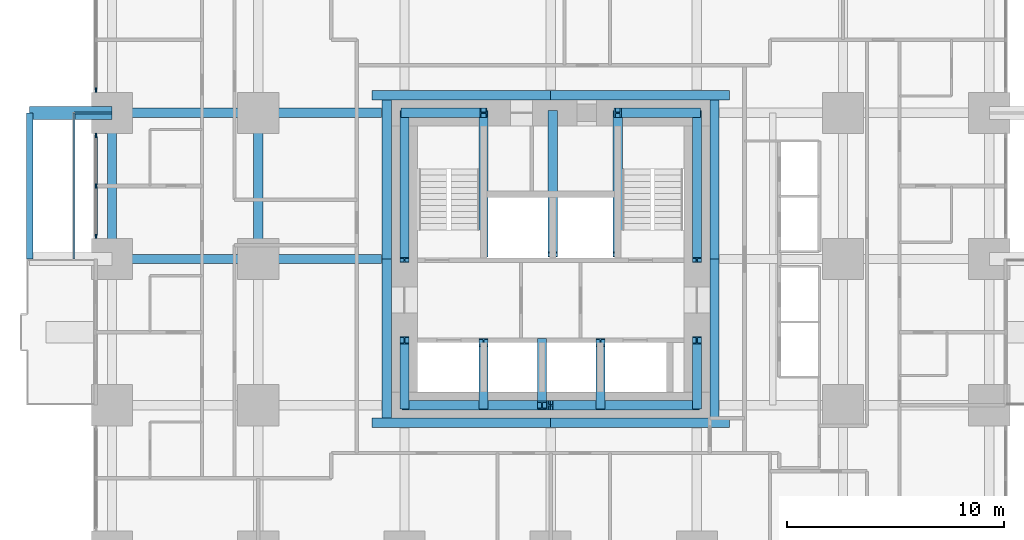
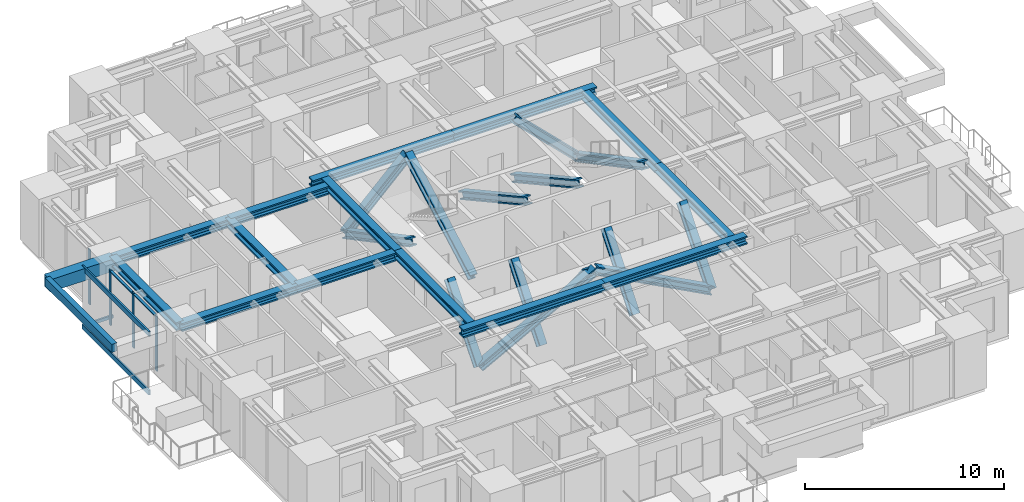
# One storey, part 3 of 14: 23 members, 16 beams, 2 elements without a shape of their own.
"""IFC4 building model written with IfcOpenShell, lengths in metres."""

from ifc_helpers import new_model, si_unit, direction, frame, origin, origin_2d, place, context, subcontext, project, spatial, rectangle, hollow_rectangle, i_section, extrude, material, material_profile, profile_set, type_object, element, aggregate, save


model = new_model("IFC4")

# Units and contexts
model_context = context("Model", 3, precision=1e-05, world=origin(), true_north=direction((0.0, 1.0)))
body_context = subcontext(model_context, "Body", "Model", "MODEL_VIEW")
ifc_project = project(units=[si_unit("LENGTHUNIT", "METRE"), si_unit("AREAUNIT", "SQUARE_METRE"), si_unit("VOLUMEUNIT", "CUBIC_METRE"), si_unit("PLANEANGLEUNIT", "RADIAN"), si_unit("MASSUNIT", "GRAM", prefix="KILO")], contexts=[model_context])

# Site, building, storey
site_placement = place(None, origin())
site = spatial("IfcSite", under=ifc_project, at=site_placement, CompositionType="ELEMENT")
building_placement = place(site_placement, origin())
building = spatial("IfcBuilding", under=site, at=building_placement, Name="Nyansa Garden Tower", CompositionType="ELEMENT")
storey_placement = place(building_placement, frame((0.0, 0.0, 39.60009765625)))
storey = spatial("IfcBuildingStorey", under=building, at=storey_placement, Name="L10", CompositionType="ELEMENT", Elevation=39.60009765625)

# Beams
ifc_material_1 = material(Name="Concrete C70/85", Category="concrete")
ifc_material_profile_1 = material_profile(ifc_material_1, rectangle(XDim=0.60009765625, YDim=0.75, at=origin_2d()), Name="RC 600x750")
ifc_profile_set_1 = profile_set([ifc_material_profile_1], Name="Concrete C70/85")
beam_type_1 = type_object("IfcBeamType", Name="Balcony cantilever beam CB1 RC 600x750", PredefinedType="BEAM", material=ifc_profile_set_1)
beam_1_placement = place(storey_placement, frame((0.0, 27.0, 2.98486328125), z_axis=(-1.0, 0.0, 0.0), x_axis=(0.0, -1.0, 0.0)))
element("IfcBeam", 1, at=beam_1_placement, inside=storey, type_object=beam_type_1, Name="Balcony cantilever beam L11", PredefinedType="BEAM", context=body_context, shape_type="SweptSolid", body=[
    extrude(rectangle(XDim=0.60009765625, YDim=0.75, at=origin_2d()), origin(), (0.0, 0.0, 1.0), 3.800048828125),
])
ifc_material_2 = material(Name="Concrete C70/85", Category="concrete")
ifc_material_profile_2 = material_profile(ifc_material_2, rectangle(XDim=0.300048828125, YDim=0.5, at=origin_2d()), Name="RC 300x500")
ifc_profile_set_2 = profile_set([ifc_material_profile_2], Name="Concrete C70/85")
beam_type_2 = type_object("IfcBeamType", Name="Balcony edge beam BE1 RC 300x500", PredefinedType="BEAM", material=ifc_profile_set_2)
beam_2_placement = place(storey_placement, frame((-3.800048828125, 20.25, 3.10986328125), z_axis=(0.0, 1.0, 0.0), x_axis=(-1.0, 0.0, 0.0)))
element("IfcBeam", 2, at=beam_2_placement, inside=storey, type_object=beam_type_2, Name="Balcony edge beam L11", PredefinedType="BEAM", context=body_context, shape_type="SweptSolid", body=[
    extrude(rectangle(XDim=0.300048828125, YDim=0.5, at=origin_2d()), origin(), (0.0, 0.0, 1.0), 6.75),
])

# Curtain wall, member
ifc_material_3 = material(Name="Black anodised aluminium, dark tinted double glazing", Category="aluminium")
curtain_wall_type = type_object("IfcCurtainWallType", Name="Inner skin curtain wall ISW-A", PredefinedType="USERDEFINED", material=ifc_material_3)
curtain_wall_1_placement = place(storey_placement, origin())
curtain_wall_1 = element("IfcCurtainWall", 3, at=curtain_wall_1_placement, inside=storey, type_object=curtain_wall_type, Name="Inner skin curtain wall L10 W", ObjectType="UNITISED CURTAIN WALL", PredefinedType="USERDEFINED")
ifc_material_4 = material(Name="Black anodised aluminium", Category="aluminium")
ifc_material_profile_3 = material_profile(ifc_material_4, rectangle(XDim=0.06494140625, YDim=0.199951171875, at=origin_2d()), Name="Mullion 200x65")
ifc_profile_set_3 = profile_set([ifc_material_profile_3], Name="Black anodised aluminium")
member_type_1 = type_object("IfcMemberType", Name="Mullion ISW-A 200x65", PredefinedType="MULLION", material=ifc_profile_set_3)
member_1_placement = place(storey_placement, frame((-0.75, 28.050048828125, 0.0), z_axis=(0.0, 0.0, 1.0), x_axis=(1.0, 0.0, 0.0)))
member_1 = element("IfcMember", 4, at=member_1_placement, type_object=member_type_1, Name="ISW-A mullion 3", PredefinedType="MULLION", context=body_context, shape_type="SweptSolid", body=[
    extrude(rectangle(XDim=0.06494140625, YDim=0.199951171875, at=origin_2d()), origin(), (0.0, 0.0, 1.0), 3.375),
])
aggregate(curtain_wall_1, [member_1])

# Curtain wall, members
curtain_wall_2_placement = place(storey_placement, origin())
curtain_wall_2 = element("IfcCurtainWall", 5, at=curtain_wall_2_placement, inside=storey, type_object=curtain_wall_type, Name="Inner skin curtain wall L10 W", ObjectType="UNITISED CURTAIN WALL", PredefinedType="USERDEFINED")
member_2_placement = place(storey_placement, frame((-0.75, 25.949951171875, 0.0), z_axis=(0.0, 0.0, 1.0), x_axis=(1.0, 0.0, 0.0)))
member_2 = element("IfcMember", 6, at=member_2_placement, type_object=member_type_1, Name="ISW-A mullion 1", PredefinedType="MULLION", context=body_context, shape_type="SweptSolid", body=[
    extrude(rectangle(XDim=0.06494140625, YDim=0.199951171875, at=origin_2d()), origin(), (0.0, 0.0, 1.0), 3.375),
])
member_3_placement = place(storey_placement, frame((-0.75, 23.625, 0.0), z_axis=(0.0, 0.0, 1.0), x_axis=(1.0, 0.0, 0.0)))
member_3 = element("IfcMember", 7, at=member_3_placement, type_object=member_type_1, Name="ISW-A mullion 2", PredefinedType="MULLION", context=body_context, shape_type="SweptSolid", body=[
    extrude(rectangle(XDim=0.06494140625, YDim=0.199951171875, at=origin_2d()), origin(), (0.0, 0.0, 1.0), 3.375),
])
member_4_placement = place(storey_placement, frame((-0.75, 21.300048828125, 0.0), z_axis=(0.0, 0.0, 1.0), x_axis=(1.0, 0.0, 0.0)))
member_4 = element("IfcMember", 8, at=member_4_placement, type_object=member_type_1, Name="ISW-A mullion 3", PredefinedType="MULLION", context=body_context, shape_type="SweptSolid", body=[
    extrude(rectangle(XDim=0.06494140625, YDim=0.199951171875, at=origin_2d()), origin(), (0.0, 0.0, 1.0), 3.375),
])

# Members
ifc_material_5 = material(Name="Steel S355, black powder coated", Category="steel")
ifc_material_profile_4 = material_profile(ifc_material_5, hollow_rectangle(XDim=0.10009765625, YDim=0.199951171875, WallThickness=0.008056640625, at=origin_2d()), Name="RHS 200x100x8")
ifc_profile_set_4 = profile_set([ifc_material_profile_4], Name="Steel S355, black powder coated")
member_type_2 = type_object("IfcMemberType", Name="Outer skin bracket arm RHS 200x100x8", PredefinedType="USERDEFINED", material=ifc_profile_set_4)
member_5_placement = place(storey_placement, frame((0.0, 27.0, -0.375), z_axis=(-1.0, 0.0, 0.0), x_axis=(0.0, -1.0, 0.0)))
element("IfcMember", 9, at=member_5_placement, inside=storey, type_object=member_type_2, Name="Outer skin bracket arm", ObjectType="OUTER SKIN BRACKET", PredefinedType="USERDEFINED", context=body_context, shape_type="SweptSolid", body=[
    extrude(hollow_rectangle(XDim=0.10009765625, YDim=0.199951171875, WallThickness=0.008056640625, at=origin_2d()), origin(), (0.0, 0.0, 1.0), 1.75),
])
ifc_material_6 = material(Name="Steel S355, black powder coated", Category="steel")
ifc_material_profile_5 = material_profile(ifc_material_6, hollow_rectangle(XDim=0.10009765625, YDim=0.300048828125, WallThickness=0.010009765625, at=origin_2d()), Name="RHS 300x100x10")
ifc_profile_set_5 = profile_set([ifc_material_profile_5], Name="Steel S355, black powder coated")
member_type_3 = type_object("IfcMemberType", Name="Outer skin rail RHS 300x100x10", PredefinedType="USERDEFINED", material=ifc_profile_set_5)
for number, where, z_axis, x_axis, name in (
    (10, (-1.75, 20.25, -0.375), (0.0, 1.0, 0.0), (-1.0, 0.0, 0.0), "Outer skin rail L10"),
    (11, (-1.75, 20.25, 3.224853515625), (0.0, 1.0, 0.0), (-1.0, 0.0, 0.0), "Outer skin rail L10 head"),
):
    element("IfcMember", number, at=place(storey_placement, frame(where, z_axis=z_axis, x_axis=x_axis)), inside=storey, type_object=member_type_3, Name=name, ObjectType="OUTER SKIN RAIL", PredefinedType="USERDEFINED", context=body_context, shape_type="SweptSolid", body=[
        extrude(hollow_rectangle(XDim=0.10009765625, YDim=0.300048828125, WallThickness=0.010009765625, at=origin_2d()), origin(), (0.0, 0.0, 1.0), 6.75),
    ])
ifc_material_7 = material(Name="Steel S355", Category="steel")
ifc_material_profile_6 = material_profile(ifc_material_7, i_section(OverallWidth=0.424072265625, OverallDepth=0.47412109375, WebThickness=0.047607421875, FlangeThickness=0.076904296875, FilletRadius=0.014892578125, at=origin_2d()), Name="HD 400x634")
ifc_profile_set_6 = profile_set([ifc_material_profile_6], Name="Steel S355")
member_type_4 = type_object("IfcMemberType", Name="Perimeter brace HD 400x634", PredefinedType="BRACE", material=ifc_profile_set_6)
for number, where, z_axis, x_axis, name in (
    (12, (13.5, 13.5, 0.0), (0.882360891967, 0.0, 0.470573327259), (0.0, 1.0, 0.0), "Core brace CS1 L10"),
    (13, (27.0, 13.5, 0.0), (-0.882360891967, 0.0, 0.470573327259), (0.0, -1.0, 0.0), "Core brace CS2 L10"),
):
    element("IfcMember", number, at=place(storey_placement, frame(where, z_axis=z_axis, x_axis=x_axis)), inside=storey, type_object=member_type_4, Name=name, PredefinedType="BRACE", context=body_context, shape_type="SweptSolid", body=[
        extrude(i_section(OverallWidth=0.424072265625, OverallDepth=0.47412109375, WebThickness=0.047607421875, FlangeThickness=0.076904296875, FilletRadius=0.014892578125, at=origin_2d()), origin(), (0.0, 0.0, 1.0), 7.64990234375),
    ])
for number, where, z_axis, x_axis, name in (
    (14, (13.5, 27.0, 0.0), (0.711971340796, 0.0, 0.702208523079), (0.0, 1.0, 0.0), "Core brace CN3 L10"),
    (15, (27.0, 27.0, 0.0), (-0.711971340796, 0.0, 0.702208523079), (0.0, -1.0, 0.0), "Core brace CN4 L10"),
):
    element("IfcMember", number, at=place(storey_placement, frame(where, z_axis=z_axis, x_axis=x_axis)), inside=storey, type_object=member_type_4, Name=name, PredefinedType="BRACE", context=body_context, shape_type="SweptSolid", body=[
        extrude(i_section(OverallWidth=0.424072265625, OverallDepth=0.47412109375, WebThickness=0.047607421875, FlangeThickness=0.076904296875, FilletRadius=0.014892578125, at=origin_2d()), origin(), (0.0, 0.0, 1.0), 5.12646484375),
    ])
member_6_placement = place(storey_placement, frame((13.5, 13.5, 0.0), z_axis=(0.0, 0.640199773186, 0.768208468069), x_axis=(-1.0, 0.0, 0.0)))
element("IfcMember", 16, at=member_6_placement, inside=storey, type_object=member_type_4, Name="Core brace CW5 L10", PredefinedType="BRACE", context=body_context, shape_type="SweptSolid", body=[
    extrude(i_section(OverallWidth=0.424072265625, OverallDepth=0.47412109375, WebThickness=0.047607421875, FlangeThickness=0.076904296875, FilletRadius=0.014892578125, at=origin_2d()), origin(), (0.0, 0.0, 1.0), 4.68603515625),
])
member_7_placement = place(storey_placement, frame((13.5, 27.0, 0.0), z_axis=(0.0, -0.883797178129, 0.467870225524), x_axis=(1.0, 0.0, 0.0)))
element("IfcMember", 17, at=member_7_placement, inside=storey, type_object=member_type_4, Name="Core brace CW6 L10", PredefinedType="BRACE", context=body_context, shape_type="SweptSolid", body=[
    extrude(i_section(OverallWidth=0.424072265625, OverallDepth=0.47412109375, WebThickness=0.047607421875, FlangeThickness=0.076904296875, FilletRadius=0.014892578125, at=origin_2d()), origin(), (0.0, 0.0, 1.0), 7.694091796875),
])
member_8_placement = place(storey_placement, frame((27.0, 13.5, 0.0), z_axis=(0.0, 0.640199773186, 0.768208468069), x_axis=(-1.0, 0.0, 0.0)))
element("IfcMember", 18, at=member_8_placement, inside=storey, type_object=member_type_4, Name="Core brace CE7 L10", PredefinedType="BRACE", context=body_context, shape_type="SweptSolid", body=[
    extrude(i_section(OverallWidth=0.424072265625, OverallDepth=0.47412109375, WebThickness=0.047607421875, FlangeThickness=0.076904296875, FilletRadius=0.014892578125, at=origin_2d()), origin(), (0.0, 0.0, 1.0), 4.68603515625),
])
member_9_placement = place(storey_placement, frame((27.0, 27.0, 0.0), z_axis=(0.0, -0.883797178129, 0.467870225524), x_axis=(1.0, 0.0, 0.0)))
element("IfcMember", 19, at=member_9_placement, inside=storey, type_object=member_type_4, Name="Core brace CE8 L10", PredefinedType="BRACE", context=body_context, shape_type="SweptSolid", body=[
    extrude(i_section(OverallWidth=0.424072265625, OverallDepth=0.47412109375, WebThickness=0.047607421875, FlangeThickness=0.076904296875, FilletRadius=0.014892578125, at=origin_2d()), origin(), (0.0, 0.0, 1.0), 7.694091796875),
])
for number, where, z_axis, x_axis, name in (
    (20, (17.14990234375, 20.449951171875, 0.0), (0.0, 0.876366901673, 0.481644115143), (-1.0, 0.0, 0.0), "Core brace CWS9 L10"),
    (21, (23.35009765625, 27.0, 0.0), (0.0, -0.876366901673, 0.481644115143), (1.0, 0.0, 0.0), "Core brace CES10 L10"),
):
    element("IfcMember", number, at=place(storey_placement, frame(where, z_axis=z_axis, x_axis=x_axis)), inside=storey, type_object=member_type_4, Name=name, PredefinedType="BRACE", context=body_context, shape_type="SweptSolid", body=[
        extrude(i_section(OverallWidth=0.424072265625, OverallDepth=0.47412109375, WebThickness=0.047607421875, FlangeThickness=0.076904296875, FilletRadius=0.014892578125, at=origin_2d()), origin(), (0.0, 0.0, 1.0), 7.47412109375),
    ])
for number, where, z_axis, x_axis, name in (
    (22, (17.14990234375, 13.5, 0.0), (0.0, 0.627332207022, 0.778751758928), (-1.0, 0.0, 0.0), "Core brace CSW11 L10"),
    (23, (19.85009765625, 16.39990234375, 0.0), (0.0, -0.627332207022, 0.778751758928), (1.0, 0.0, 0.0), "Core brace CSW12 L10"),
    (24, (22.550048828125, 13.5, 0.0), (0.0, 0.627332207022, 0.778751758928), (-1.0, 0.0, 0.0), "Core brace CSW13 L10"),
):
    element("IfcMember", number, at=place(storey_placement, frame(where, z_axis=z_axis, x_axis=x_axis)), inside=storey, type_object=member_type_4, Name=name, PredefinedType="BRACE", context=body_context, shape_type="SweptSolid", body=[
        extrude(i_section(OverallWidth=0.424072265625, OverallDepth=0.47412109375, WebThickness=0.047607421875, FlangeThickness=0.076904296875, FilletRadius=0.014892578125, at=origin_2d()), origin(), (0.0, 0.0, 1.0), 4.62255859375),
    ])
member_10_placement = place(storey_placement, frame((20.35009765625, 27.0, 0.0), z_axis=(0.0, -0.876366901673, 0.481644115143), x_axis=(1.0, 0.0, 0.0)))
element("IfcMember", 25, at=member_10_placement, inside=storey, type_object=member_type_4, Name="Core brace CNW14 L10", PredefinedType="BRACE", context=body_context, shape_type="SweptSolid", body=[
    extrude(i_section(OverallWidth=0.424072265625, OverallDepth=0.47412109375, WebThickness=0.047607421875, FlangeThickness=0.076904296875, FilletRadius=0.014892578125, at=origin_2d()), origin(), (0.0, 0.0, 1.0), 7.47412109375),
])

# Beams
ifc_material_8 = material(Name="Steel S355", Category="steel")
ifc_material_profile_7 = material_profile(ifc_material_8, i_section(OverallWidth=0.431884765625, OverallDepth=0.498046875, WebThickness=0.0556640625, FlangeThickness=0.0888671875, FilletRadius=0.014892578125, at=origin_2d()), Name="HD 400x744")
ifc_profile_set_7 = profile_set([ifc_material_profile_7], Name="Steel S355")
beam_type_3 = type_object("IfcBeamType", Name="Steel beam SBA1-744 HD 400x744", PredefinedType="BEAM", material=ifc_profile_set_7)
for number, where, z_axis, x_axis, name in (
    (26, (0.0, 20.25, 3.1259765625), (1.0, 0.0, 0.0), (0.0, 1.0, 0.0), "Steel beam 2/G-3/G L11"),
    (27, (0.0, 27.0, 3.1259765625), (1.0, 0.0, 0.0), (0.0, 1.0, 0.0), "Steel beam 2/H-3/H L11"),
    (28, (6.75, 20.25, 3.1259765625), (0.0, 1.0, 0.0), (-1.0, 0.0, 0.0), "Steel beam 3/G-3/H L11"),
):
    element("IfcBeam", number, at=place(storey_placement, frame(where, z_axis=z_axis, x_axis=x_axis)), inside=storey, type_object=beam_type_3, Name=name, PredefinedType="BEAM", context=body_context, shape_type="SweptSolid", body=[
        extrude(i_section(OverallWidth=0.431884765625, OverallDepth=0.498046875, WebThickness=0.0556640625, FlangeThickness=0.0888671875, FilletRadius=0.014892578125, at=origin_2d()), origin(), (0.0, 0.0, 1.0), 6.75),
    ])
for number, where, z_axis, x_axis, name in (
    (29, (6.75, 20.25, 3.1259765625), (1.0, 0.0, 0.0), (0.0, 1.0, 0.0), "Steel beam 3/G-12.450/G L11"),
    (30, (6.75, 27.0, 3.1259765625), (1.0, 0.0, 0.0), (0.0, 1.0, 0.0), "Steel beam 3/H-12.450/H L11"),
):
    element("IfcBeam", number, at=place(storey_placement, frame(where, z_axis=z_axis, x_axis=x_axis)), inside=storey, type_object=beam_type_3, Name=name, PredefinedType="BEAM", context=body_context, shape_type="SweptSolid", body=[
        extrude(i_section(OverallWidth=0.431884765625, OverallDepth=0.498046875, WebThickness=0.0556640625, FlangeThickness=0.0888671875, FilletRadius=0.014892578125, at=origin_2d()), origin(), (0.0, 0.0, 1.0), 5.699951171875),
    ])
ifc_material_9 = material(Name="Steel S355", Category="steel")
ifc_material_profile_8 = material_profile(ifc_material_9, i_section(OverallWidth=0.431884765625, OverallDepth=0.498046875, WebThickness=0.0556640625, FlangeThickness=0.0888671875, FilletRadius=0.014892578125, at=origin_2d()), Name="HD 400x744")
ifc_profile_set_8 = profile_set([ifc_material_profile_8], Name="Steel S355")
beam_type_4 = type_object("IfcBeamType", Name="Steel beam SEBA-744 HD 400x744", PredefinedType="BEAM", material=ifc_profile_set_8)
beam_3_placement = place(storey_placement, frame((0.0, 20.25, 3.1259765625), z_axis=(0.0, 1.0, 0.0), x_axis=(-1.0, 0.0, 0.0)))
element("IfcBeam", 31, at=beam_3_placement, inside=storey, type_object=beam_type_4, Name="Steel edge beam 2/G-2/H L11", PredefinedType="BEAM", context=body_context, shape_type="SweptSolid", body=[
    extrude(i_section(OverallWidth=0.431884765625, OverallDepth=0.498046875, WebThickness=0.0556640625, FlangeThickness=0.0888671875, FilletRadius=0.014892578125, at=origin_2d()), origin(), (0.0, 0.0, 1.0), 6.75),
])
ifc_material_10 = material(Name="Steel S355", Category="steel")
ifc_material_profile_9 = material_profile(ifc_material_10, i_section(OverallWidth=0.431884765625, OverallDepth=0.498046875, WebThickness=0.0556640625, FlangeThickness=0.0888671875, FilletRadius=0.014892578125, at=origin_2d()), Name="HD 400x744")
ifc_profile_set_9 = profile_set([ifc_material_profile_9], Name="Steel S355")
beam_type_5 = type_object("IfcBeamType", Name="Steel beam SLB1-744 HD 400x744", PredefinedType="BEAM", material=ifc_profile_set_9)
for number, where, z_axis, x_axis, name in (
    (32, (12.0, 12.68408203125, 3.1259765625), (1.0, 0.0, 0.0), (0.0, 1.0, 0.0), "Steel core ledger beam S.1 L11"),
    (33, (20.25, 12.68408203125, 3.1259765625), (1.0, 0.0, 0.0), (0.0, 1.0, 0.0), "Steel core ledger beam S.2 L11"),
):
    element("IfcBeam", number, at=place(storey_placement, frame(where, z_axis=z_axis, x_axis=x_axis)), inside=storey, type_object=beam_type_5, Name=name, PredefinedType="BEAM", context=body_context, shape_type="SweptSolid", body=[
        extrude(i_section(OverallWidth=0.431884765625, OverallDepth=0.498046875, WebThickness=0.0556640625, FlangeThickness=0.0888671875, FilletRadius=0.014892578125, at=origin_2d()), origin(), (0.0, 0.0, 1.0), 8.25),
    ])
for number, where, z_axis, x_axis, name in (
    (34, (27.81591796875, 12.89990234375, 3.1259765625), (0.0, 1.0, 0.0), (-1.0, 0.0, 0.0), "Steel core ledger beam E.1 L11"),
    (35, (27.81591796875, 20.25, 3.1259765625), (0.0, 1.0, 0.0), (-1.0, 0.0, 0.0), "Steel core ledger beam E.2 L11"),
):
    element("IfcBeam", number, at=place(storey_placement, frame(where, z_axis=z_axis, x_axis=x_axis)), inside=storey, type_object=beam_type_5, Name=name, PredefinedType="BEAM", context=body_context, shape_type="SweptSolid", body=[
        extrude(i_section(OverallWidth=0.431884765625, OverallDepth=0.498046875, WebThickness=0.0556640625, FlangeThickness=0.0888671875, FilletRadius=0.014892578125, at=origin_2d()), origin(), (0.0, 0.0, 1.0), 7.35009765625),
    ])
for number, where, z_axis, x_axis, name in (
    (36, (28.5, 27.81591796875, 3.1259765625), (-1.0, 0.0, 0.0), (0.0, -1.0, 0.0), "Steel core ledger beam N.1 L11"),
    (37, (20.25, 27.81591796875, 3.1259765625), (-1.0, 0.0, 0.0), (0.0, -1.0, 0.0), "Steel core ledger beam N.2 L11"),
):
    element("IfcBeam", number, at=place(storey_placement, frame(where, z_axis=z_axis, x_axis=x_axis)), inside=storey, type_object=beam_type_5, Name=name, PredefinedType="BEAM", context=body_context, shape_type="SweptSolid", body=[
        extrude(i_section(OverallWidth=0.431884765625, OverallDepth=0.498046875, WebThickness=0.0556640625, FlangeThickness=0.0888671875, FilletRadius=0.014892578125, at=origin_2d()), origin(), (0.0, 0.0, 1.0), 8.25),
    ])
for number, where, z_axis, x_axis, name in (
    (38, (12.68408203125, 27.60009765625, 3.1259765625), (0.0, -1.0, 0.0), (1.0, 0.0, 0.0), "Steel core ledger beam W.1 L11"),
    (39, (12.68408203125, 20.25, 3.1259765625), (0.0, -1.0, 0.0), (1.0, 0.0, 0.0), "Steel core ledger beam W.2 L11"),
):
    element("IfcBeam", number, at=place(storey_placement, frame(where, z_axis=z_axis, x_axis=x_axis)), inside=storey, type_object=beam_type_5, Name=name, PredefinedType="BEAM", context=body_context, shape_type="SweptSolid", body=[
        extrude(i_section(OverallWidth=0.431884765625, OverallDepth=0.498046875, WebThickness=0.0556640625, FlangeThickness=0.0888671875, FilletRadius=0.014892578125, at=origin_2d()), origin(), (0.0, 0.0, 1.0), 7.35009765625),
    ])

# Member
ifc_material_11 = material(Name="Black anodised aluminium", Category="aluminium")
ifc_material_profile_10 = material_profile(ifc_material_11, rectangle(XDim=0.14990234375, YDim=0.06494140625, at=origin_2d()), Name="Transom 150x65")
ifc_profile_set_10 = profile_set([ifc_material_profile_10], Name="Black anodised aluminium")
member_type_5 = type_object("IfcMemberType", Name="Transom ISW-A 150x65", PredefinedType="USERDEFINED", material=ifc_profile_set_10)
member_11_placement = place(storey_placement, frame((-0.75, 25.91748046875, 3.34228515625), z_axis=(0.0, -1.0, 0.0), x_axis=(1.0, 0.0, 0.0)))
member_11 = element("IfcMember", 40, at=member_11_placement, type_object=member_type_5, Name="ISW-A transom 1", ObjectType="TRANSOM", PredefinedType="USERDEFINED", context=body_context, shape_type="SweptSolid", body=[
    extrude(rectangle(XDim=0.14990234375, YDim=0.06494140625, at=origin_2d()), origin(), (0.0, 0.0, 1.0), 2.260009765625),
])

member_12_placement = place(storey_placement, frame((-0.75, 23.592529296875, 3.34228515625), z_axis=(0.0, -1.0, 0.0), x_axis=(1.0, 0.0, 0.0)))
member_12 = element("IfcMember", 41, at=member_12_placement, type_object=member_type_5, Name="ISW-A transom 2", ObjectType="TRANSOM", PredefinedType="USERDEFINED", context=body_context, shape_type="SweptSolid", body=[
    extrude(rectangle(XDim=0.14990234375, YDim=0.06494140625, at=origin_2d()), origin(), (0.0, 0.0, 1.0), 2.260009765625),
])

aggregate(curtain_wall_2, [member_2, member_3, member_4, member_11, member_12])

save(model, "model.ifc")
